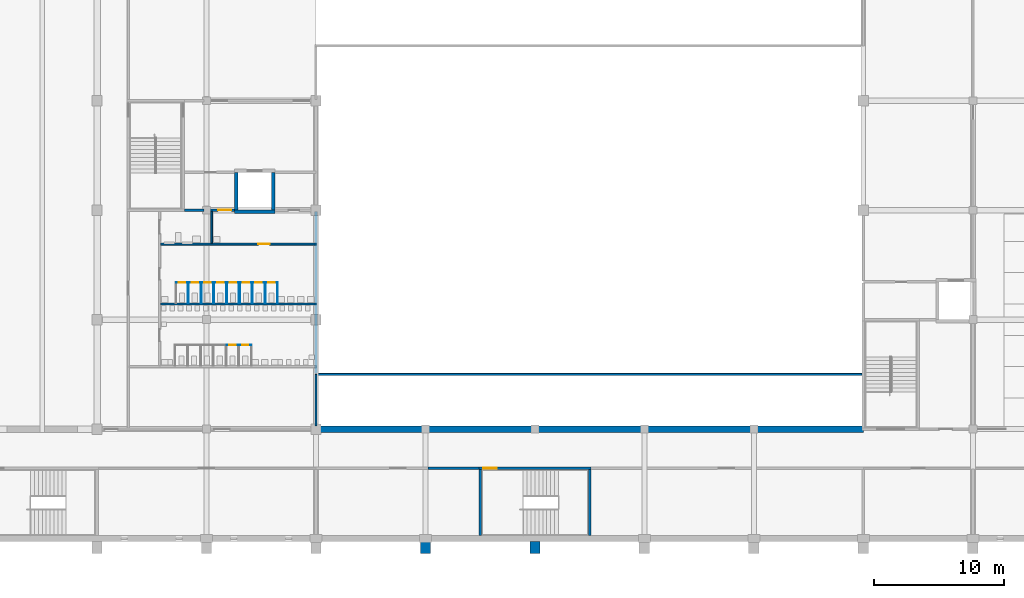
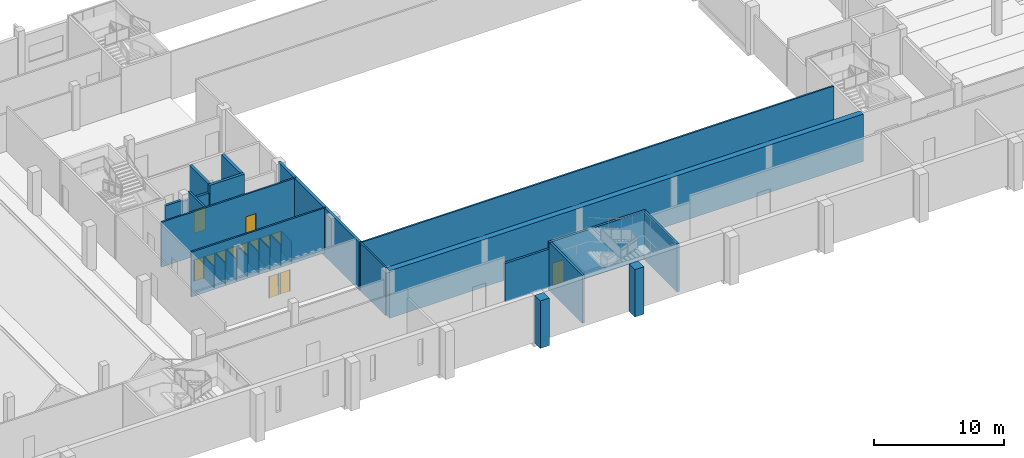
# One storey, part 18 of 56: 43 walls, 13 doors, 13 openings.
"""IFC4 building model written with IfcOpenShell, lengths in metres."""

from ifc_helpers import new_model, si_unit, direction, frame, frame_2d, origin, place, context, subcontext, project, spatial, rectangle, extrude, material, layer, layer_set, type_object, element, fill, save


model = new_model("IFC4")

# Units and contexts
model_context = context("Model", 3, precision=1e-05, world=origin(), true_north=direction((0.0, 1.0)))
body_context = subcontext(model_context, "Body", "Model", "MODEL_VIEW")
ifc_project = project(units=[si_unit("LENGTHUNIT", "METRE"), si_unit("AREAUNIT", "SQUARE_METRE"), si_unit("VOLUMEUNIT", "CUBIC_METRE"), si_unit("PLANEANGLEUNIT", "RADIAN"), si_unit("MASSUNIT", "GRAM", prefix="KILO")], contexts=[model_context])

# Site, building, storey
site_placement = place(None, origin())
site = spatial("IfcSite", under=ifc_project, at=site_placement, CompositionType="ELEMENT")
building_placement = place(site_placement, origin())
building = spatial("IfcBuilding", under=site, at=building_placement, Name="Rulbaag Community and Learning Centre", CompositionType="ELEMENT")
storey_placement = place(building_placement, frame((0.0, 0.0, 9.89990234375)))
storey = spatial("IfcBuildingStorey", under=building, at=storey_placement, Name="L02", CompositionType="ELEMENT", Elevation=9.89990234375)

# Wall, opening, door
ifc_material_1 = material(Name="High pressure laminate", Category="wood")
ifc_layer_1 = layer(ifc_material_1, 0.0400390625)
ifc_layer_set_1 = layer_set([ifc_layer_1], Name="CP-40")
wall_type_1 = type_object("IfcWallType", Name="CP-40", PredefinedType="PARTITIONING", material=ifc_layer_set_1)
wall_1_placement = place(storey_placement, frame((35.139892578125, 14.85009765625, 0.0), z_axis=(0.0, 0.0, 1.0), x_axis=(1.0, 0.0, 0.0)))
wall_1 = element("IfcWall", 1, at=wall_1_placement, inside=storey, type_object=wall_type_1, Name="Cubicle partition", PredefinedType="PARTITIONING", context=body_context, shape_type="SweptSolid", body=[
    extrude(rectangle(XDim=0.900146484375, YDim=0.0400390625, at=frame_2d((0.4501953125, 0.0))), origin(), (0.0, 0.0, 1.0), 2.0),
])
opening_1_placement = place(wall_1_placement, frame((0.050048828125, 0.0, 0.0)))
opening_1 = element("IfcOpeningElement", 2, at=opening_1_placement, cuts=wall_1, Name="Opening L02-D029", PredefinedType="OPENING", context=body_context, shape_type="SweptSolid", body=[
    extrude(rectangle(XDim=0.800048828125, YDim=2.0, at=frame_2d((0.39990234375, 1.0))), frame((0.0, 0.030029296875, 0.0), z_axis=(0.0, -1.0, 0.0), x_axis=(1.0, 0.0, 0.0)), (0.0, 0.0, 1.0), 0.06005859375),
])
door_type_1 = type_object("IfcDoorType", Name="DC-80", OperationType="SINGLE_SWING_LEFT", PredefinedType="DOOR", material=ifc_material_1)
door_1_placement = place(opening_1_placement, origin())
door_1 = element("IfcDoor", 3, at=door_1_placement, inside=storey, type_object=door_type_1, Name="Cubicle door", OperationType="SINGLE_SWING_LEFT", OverallHeight=2.0, OverallWidth=0.800048828125, PredefinedType="DOOR", context=body_context, shape_type="SweptSolid", body=[
    extrude(rectangle(XDim=0.800048828125, YDim=2.0, at=frame_2d((0.39990234375, 1.0))), frame((0.0, 0.019775390625, 0.0), z_axis=(0.0, -1.0, 0.0), x_axis=(1.0, 0.0, 0.0)), (0.0, 0.0, 1.0), 0.03955078125),
])
fill(opening_1, door_1)

wall_2_placement = place(storey_placement, frame((36.1201171875, 14.85009765625, 0.0), z_axis=(0.0, 0.0, 1.0), x_axis=(1.0, 0.0, 0.0)))
wall_2 = element("IfcWall", 4, at=wall_2_placement, inside=storey, type_object=wall_type_1, Name="Cubicle partition", PredefinedType="PARTITIONING", context=body_context, shape_type="SweptSolid", body=[
    extrude(rectangle(XDim=0.89990234375, YDim=0.0400390625, at=frame_2d((0.449951171875, 0.0))), origin(), (0.0, 0.0, 1.0), 2.0),
])
opening_2_placement = place(wall_2_placement, frame((0.050048828125, 0.0, 0.0)))
opening_2 = element("IfcOpeningElement", 5, at=opening_2_placement, cuts=wall_2, Name="Opening L02-D031", PredefinedType="OPENING", context=body_context, shape_type="SweptSolid", body=[
    extrude(rectangle(XDim=0.800048828125, YDim=2.0, at=frame_2d((0.39990234375, 1.0))), frame((0.0, 0.030029296875, 0.0), z_axis=(0.0, -1.0, 0.0), x_axis=(1.0, 0.0, 0.0)), (0.0, 0.0, 1.0), 0.06005859375),
])
door_2_placement = place(opening_2_placement, origin())
door_2 = element("IfcDoor", 6, at=door_2_placement, inside=storey, type_object=door_type_1, Name="Cubicle door", OperationType="SINGLE_SWING_LEFT", OverallHeight=2.0, OverallWidth=0.800048828125, PredefinedType="DOOR", context=body_context, shape_type="SweptSolid", body=[
    extrude(rectangle(XDim=0.800048828125, YDim=2.0, at=frame_2d((0.39990234375, 1.0))), frame((0.0, 0.019775390625, 0.0), z_axis=(0.0, -1.0, 0.0), x_axis=(1.0, 0.0, 0.0)), (0.0, 0.0, 1.0), 0.03955078125),
])
fill(opening_2, door_2)

# Wall
wall_3_placement = place(storey_placement, frame((32.18994140625, 18.074951171875, 0.0), z_axis=(0.0, 0.0, 1.0), x_axis=(0.0, 1.0, 0.0)))
element("IfcWall", 7, at=wall_3_placement, inside=storey, type_object=wall_type_1, Name="Cubicle partition", PredefinedType="PARTITIONING", context=body_context, shape_type="SweptSolid", body=[
    extrude(rectangle(XDim=1.594970703125, YDim=0.0400390625, at=frame_2d((0.79736328125, 0.0))), origin(), (0.0, 0.0, 1.0), 2.0),
])

# Wall, opening, door
wall_4_placement = place(storey_placement, frame((31.27001953125, 19.64990234375, 0.0), z_axis=(0.0, 0.0, 1.0), x_axis=(1.0, 0.0, 0.0)))
wall_4 = element("IfcWall", 8, at=wall_4_placement, inside=storey, type_object=wall_type_1, Name="Cubicle partition", PredefinedType="PARTITIONING", context=body_context, shape_type="SweptSolid", body=[
    extrude(rectangle(XDim=0.89990234375, YDim=0.0400390625, at=frame_2d((0.449951171875, 0.0))), origin(), (0.0, 0.0, 1.0), 2.0),
])
opening_3_placement = place(wall_4_placement, frame((0.050048828125, 0.0, 0.0)))
opening_3 = element("IfcOpeningElement", 9, at=opening_3_placement, cuts=wall_4, Name="Opening L02-D016", PredefinedType="OPENING", context=body_context, shape_type="SweptSolid", body=[
    extrude(rectangle(XDim=0.800048828125, YDim=2.0, at=frame_2d((0.39990234375, 1.0))), frame((0.0, 0.030029296875, 0.0), z_axis=(0.0, -1.0, 0.0), x_axis=(1.0, 0.0, 0.0)), (0.0, 0.0, 1.0), 0.06005859375),
])
door_3_placement = place(opening_3_placement, origin())
door_3 = element("IfcDoor", 10, at=door_3_placement, inside=storey, type_object=door_type_1, Name="Cubicle door", OperationType="SINGLE_SWING_LEFT", OverallHeight=2.0, OverallWidth=0.800048828125, PredefinedType="DOOR", context=body_context, shape_type="SweptSolid", body=[
    extrude(rectangle(XDim=0.800048828125, YDim=2.0, at=frame_2d((0.39990234375, 1.0))), frame((0.0, 0.019775390625, 0.0), z_axis=(0.0, -1.0, 0.0), x_axis=(1.0, 0.0, 0.0)), (0.0, 0.0, 1.0), 0.03955078125),
])
fill(opening_3, door_3)

# Walls
for number, where, z_axis, x_axis, name in (
    (11, (32.22998046875, 18.074951171875, 0.0), (0.0, 0.0, 1.0), (0.0, 1.0, 0.0), "Cubicle partition"),
    (12, (33.169921875, 18.074951171875, 0.0), (0.0, 0.0, 1.0), (0.0, 1.0, 0.0), "Cubicle partition"),
):
    element("IfcWall", number, at=place(storey_placement, frame(where, z_axis=z_axis, x_axis=x_axis)), inside=storey, type_object=wall_type_1, Name=name, PredefinedType="PARTITIONING", context=body_context, shape_type="SweptSolid", body=[
        extrude(rectangle(XDim=1.594970703125, YDim=0.0400390625, at=frame_2d((0.79736328125, 0.0))), origin(), (0.0, 0.0, 1.0), 2.0),
    ])

# Wall, opening, door
wall_5_placement = place(storey_placement, frame((32.25, 19.64990234375, 0.0), z_axis=(0.0, 0.0, 1.0), x_axis=(1.0, 0.0, 0.0)))
wall_5 = element("IfcWall", 13, at=wall_5_placement, inside=storey, type_object=wall_type_1, Name="Cubicle partition", PredefinedType="PARTITIONING", context=body_context, shape_type="SweptSolid", body=[
    extrude(rectangle(XDim=0.89990234375, YDim=0.0400390625, at=frame_2d((0.449951171875, 0.0))), origin(), (0.0, 0.0, 1.0), 2.0),
])
opening_4_placement = place(wall_5_placement, frame((0.050048828125, 0.0, 0.0)))
opening_4 = element("IfcOpeningElement", 14, at=opening_4_placement, cuts=wall_5, Name="Opening L02-D019", PredefinedType="OPENING", context=body_context, shape_type="SweptSolid", body=[
    extrude(rectangle(XDim=0.800048828125, YDim=2.0, at=frame_2d((0.39990234375, 1.0))), frame((0.0, 0.030029296875, 0.0), z_axis=(0.0, -1.0, 0.0), x_axis=(1.0, 0.0, 0.0)), (0.0, 0.0, 1.0), 0.06005859375),
])
door_4_placement = place(opening_4_placement, origin())
door_4 = element("IfcDoor", 15, at=door_4_placement, inside=storey, type_object=door_type_1, Name="Cubicle door", OperationType="SINGLE_SWING_LEFT", OverallHeight=2.0, OverallWidth=0.800048828125, PredefinedType="DOOR", context=body_context, shape_type="SweptSolid", body=[
    extrude(rectangle(XDim=0.800048828125, YDim=2.0, at=frame_2d((0.39990234375, 1.0))), frame((0.0, 0.019775390625, 0.0), z_axis=(0.0, -1.0, 0.0), x_axis=(1.0, 0.0, 0.0)), (0.0, 0.0, 1.0), 0.03955078125),
])
fill(opening_4, door_4)

# Walls
for number, where, z_axis, x_axis, name in (
    (16, (33.2099609375, 18.074951171875, 0.0), (0.0, 0.0, 1.0), (0.0, 1.0, 0.0), "Cubicle partition"),
    (17, (34.14990234375, 18.074951171875, 0.0), (0.0, 0.0, 1.0), (0.0, 1.0, 0.0), "Cubicle partition"),
):
    element("IfcWall", number, at=place(storey_placement, frame(where, z_axis=z_axis, x_axis=x_axis)), inside=storey, type_object=wall_type_1, Name=name, PredefinedType="PARTITIONING", context=body_context, shape_type="SweptSolid", body=[
        extrude(rectangle(XDim=1.594970703125, YDim=0.0400390625, at=frame_2d((0.79736328125, 0.0))), origin(), (0.0, 0.0, 1.0), 2.0),
    ])

# Wall, opening, door
wall_6_placement = place(storey_placement, frame((33.22998046875, 19.64990234375, 0.0), z_axis=(0.0, 0.0, 1.0), x_axis=(1.0, 0.0, 0.0)))
wall_6 = element("IfcWall", 18, at=wall_6_placement, inside=storey, type_object=wall_type_1, Name="Cubicle partition", PredefinedType="PARTITIONING", context=body_context, shape_type="SweptSolid", body=[
    extrude(rectangle(XDim=0.89990234375, YDim=0.0400390625, at=frame_2d((0.449951171875, 0.0))), origin(), (0.0, 0.0, 1.0), 2.0),
])
opening_5_placement = place(wall_6_placement, frame((0.050048828125, 0.0, 0.0)))
opening_5 = element("IfcOpeningElement", 19, at=opening_5_placement, cuts=wall_6, Name="Opening L02-D022", PredefinedType="OPENING", context=body_context, shape_type="SweptSolid", body=[
    extrude(rectangle(XDim=0.800048828125, YDim=2.0, at=frame_2d((0.39990234375, 1.0))), frame((0.0, 0.030029296875, 0.0), z_axis=(0.0, -1.0, 0.0), x_axis=(1.0, 0.0, 0.0)), (0.0, 0.0, 1.0), 0.06005859375),
])
door_5_placement = place(opening_5_placement, origin())
door_5 = element("IfcDoor", 20, at=door_5_placement, inside=storey, type_object=door_type_1, Name="Cubicle door", OperationType="SINGLE_SWING_LEFT", OverallHeight=2.0, OverallWidth=0.800048828125, PredefinedType="DOOR", context=body_context, shape_type="SweptSolid", body=[
    extrude(rectangle(XDim=0.800048828125, YDim=2.0, at=frame_2d((0.39990234375, 1.0))), frame((0.0, 0.019775390625, 0.0), z_axis=(0.0, -1.0, 0.0), x_axis=(1.0, 0.0, 0.0)), (0.0, 0.0, 1.0), 0.03955078125),
])
fill(opening_5, door_5)

# Walls
for number, where, z_axis, x_axis, name in (
    (21, (34.18994140625, 18.074951171875, 0.0), (0.0, 0.0, 1.0), (0.0, 1.0, 0.0), "Cubicle partition"),
    (22, (35.1298828125, 18.074951171875, 0.0), (0.0, 0.0, 1.0), (0.0, 1.0, 0.0), "Cubicle partition"),
):
    element("IfcWall", number, at=place(storey_placement, frame(where, z_axis=z_axis, x_axis=x_axis)), inside=storey, type_object=wall_type_1, Name=name, PredefinedType="PARTITIONING", context=body_context, shape_type="SweptSolid", body=[
        extrude(rectangle(XDim=1.594970703125, YDim=0.0400390625, at=frame_2d((0.79736328125, 0.0))), origin(), (0.0, 0.0, 1.0), 2.0),
    ])

# Wall, opening, door
wall_7_placement = place(storey_placement, frame((34.2099609375, 19.64990234375, 0.0), z_axis=(0.0, 0.0, 1.0), x_axis=(1.0, 0.0, 0.0)))
wall_7 = element("IfcWall", 23, at=wall_7_placement, inside=storey, type_object=wall_type_1, Name="Cubicle partition", PredefinedType="PARTITIONING", context=body_context, shape_type="SweptSolid", body=[
    extrude(rectangle(XDim=0.900146484375, YDim=0.0400390625, at=frame_2d((0.4501953125, 0.0))), origin(), (0.0, 0.0, 1.0), 2.0),
])
opening_6_placement = place(wall_7_placement, frame((0.050048828125, 0.0, 0.0)))
opening_6 = element("IfcOpeningElement", 24, at=opening_6_placement, cuts=wall_7, Name="Opening L02-D026", PredefinedType="OPENING", context=body_context, shape_type="SweptSolid", body=[
    extrude(rectangle(XDim=0.800048828125, YDim=2.0, at=frame_2d((0.39990234375, 1.0))), frame((0.0, 0.030029296875, 0.0), z_axis=(0.0, -1.0, 0.0), x_axis=(1.0, 0.0, 0.0)), (0.0, 0.0, 1.0), 0.06005859375),
])
door_6_placement = place(opening_6_placement, origin())
door_6 = element("IfcDoor", 25, at=door_6_placement, inside=storey, type_object=door_type_1, Name="Cubicle door", OperationType="SINGLE_SWING_LEFT", OverallHeight=2.0, OverallWidth=0.800048828125, PredefinedType="DOOR", context=body_context, shape_type="SweptSolid", body=[
    extrude(rectangle(XDim=0.800048828125, YDim=2.0, at=frame_2d((0.39990234375, 1.0))), frame((0.0, 0.019775390625, 0.0), z_axis=(0.0, -1.0, 0.0), x_axis=(1.0, 0.0, 0.0)), (0.0, 0.0, 1.0), 0.03955078125),
])
fill(opening_6, door_6)

# Walls
for number, where, z_axis, x_axis, name in (
    (26, (35.169921875, 18.074951171875, 0.0), (0.0, 0.0, 1.0), (0.0, 1.0, 0.0), "Cubicle partition"),
    (27, (36.110107421875, 18.074951171875, 0.0), (0.0, 0.0, 1.0), (0.0, 1.0, 0.0), "Cubicle partition"),
):
    element("IfcWall", number, at=place(storey_placement, frame(where, z_axis=z_axis, x_axis=x_axis)), inside=storey, type_object=wall_type_1, Name=name, PredefinedType="PARTITIONING", context=body_context, shape_type="SweptSolid", body=[
        extrude(rectangle(XDim=1.594970703125, YDim=0.0400390625, at=frame_2d((0.79736328125, 0.0))), origin(), (0.0, 0.0, 1.0), 2.0),
    ])

# Wall, opening, door
wall_8_placement = place(storey_placement, frame((35.18994140625, 19.64990234375, 0.0), z_axis=(0.0, 0.0, 1.0), x_axis=(1.0, 0.0, 0.0)))
wall_8 = element("IfcWall", 28, at=wall_8_placement, inside=storey, type_object=wall_type_1, Name="Cubicle partition", PredefinedType="PARTITIONING", context=body_context, shape_type="SweptSolid", body=[
    extrude(rectangle(XDim=0.900146484375, YDim=0.0400390625, at=frame_2d((0.4501953125, 0.0))), origin(), (0.0, 0.0, 1.0), 2.0),
])
opening_7_placement = place(wall_8_placement, frame((0.050048828125, 0.0, 0.0)))
opening_7 = element("IfcOpeningElement", 29, at=opening_7_placement, cuts=wall_8, Name="Opening L02-D030", PredefinedType="OPENING", context=body_context, shape_type="SweptSolid", body=[
    extrude(rectangle(XDim=0.800048828125, YDim=2.0, at=frame_2d((0.39990234375, 1.0))), frame((0.0, 0.030029296875, 0.0), z_axis=(0.0, -1.0, 0.0), x_axis=(1.0, 0.0, 0.0)), (0.0, 0.0, 1.0), 0.06005859375),
])
door_7_placement = place(opening_7_placement, origin())
door_7 = element("IfcDoor", 30, at=door_7_placement, inside=storey, type_object=door_type_1, Name="Cubicle door", OperationType="SINGLE_SWING_LEFT", OverallHeight=2.0, OverallWidth=0.800048828125, PredefinedType="DOOR", context=body_context, shape_type="SweptSolid", body=[
    extrude(rectangle(XDim=0.800048828125, YDim=2.0, at=frame_2d((0.39990234375, 1.0))), frame((0.0, 0.019775390625, 0.0), z_axis=(0.0, -1.0, 0.0), x_axis=(1.0, 0.0, 0.0)), (0.0, 0.0, 1.0), 0.03955078125),
])
fill(opening_7, door_7)

# Walls
for number, where, z_axis, x_axis, name in (
    (31, (36.14990234375, 18.074951171875, 0.0), (0.0, 0.0, 1.0), (0.0, 1.0, 0.0), "Cubicle partition"),
    (32, (37.090087890625, 18.074951171875, 0.0), (0.0, 0.0, 1.0), (0.0, 1.0, 0.0), "Cubicle partition"),
):
    element("IfcWall", number, at=place(storey_placement, frame(where, z_axis=z_axis, x_axis=x_axis)), inside=storey, type_object=wall_type_1, Name=name, PredefinedType="PARTITIONING", context=body_context, shape_type="SweptSolid", body=[
        extrude(rectangle(XDim=1.594970703125, YDim=0.0400390625, at=frame_2d((0.79736328125, 0.0))), origin(), (0.0, 0.0, 1.0), 2.0),
    ])

# Wall, opening, door
wall_9_placement = place(storey_placement, frame((36.169921875, 19.64990234375, 0.0), z_axis=(0.0, 0.0, 1.0), x_axis=(1.0, 0.0, 0.0)))
wall_9 = element("IfcWall", 33, at=wall_9_placement, inside=storey, type_object=wall_type_1, Name="Cubicle partition", PredefinedType="PARTITIONING", context=body_context, shape_type="SweptSolid", body=[
    extrude(rectangle(XDim=0.900146484375, YDim=0.0400390625, at=frame_2d((0.4501953125, 0.0))), origin(), (0.0, 0.0, 1.0), 2.0),
])
opening_8_placement = place(wall_9_placement, frame((0.050048828125, 0.0, 0.0)))
opening_8 = element("IfcOpeningElement", 34, at=opening_8_placement, cuts=wall_9, Name="Opening L02-D032", PredefinedType="OPENING", context=body_context, shape_type="SweptSolid", body=[
    extrude(rectangle(XDim=0.800048828125, YDim=2.0, at=frame_2d((0.39990234375, 1.0))), frame((0.0, 0.030029296875, 0.0), z_axis=(0.0, -1.0, 0.0), x_axis=(1.0, 0.0, 0.0)), (0.0, 0.0, 1.0), 0.06005859375),
])
door_8_placement = place(opening_8_placement, origin())
door_8 = element("IfcDoor", 35, at=door_8_placement, inside=storey, type_object=door_type_1, Name="Cubicle door", OperationType="SINGLE_SWING_LEFT", OverallHeight=2.0, OverallWidth=0.800048828125, PredefinedType="DOOR", context=body_context, shape_type="SweptSolid", body=[
    extrude(rectangle(XDim=0.800048828125, YDim=2.0, at=frame_2d((0.39990234375, 1.0))), frame((0.0, 0.019775390625, 0.0), z_axis=(0.0, -1.0, 0.0), x_axis=(1.0, 0.0, 0.0)), (0.0, 0.0, 1.0), 0.03955078125),
])
fill(opening_8, door_8)

# Walls
for number, where, z_axis, x_axis, name in (
    (36, (37.1298828125, 18.074951171875, 0.0), (0.0, 0.0, 1.0), (0.0, 1.0, 0.0), "Cubicle partition"),
    (37, (38.070068359375, 18.074951171875, 0.0), (0.0, 0.0, 1.0), (0.0, 1.0, 0.0), "Cubicle partition"),
):
    element("IfcWall", number, at=place(storey_placement, frame(where, z_axis=z_axis, x_axis=x_axis)), inside=storey, type_object=wall_type_1, Name=name, PredefinedType="PARTITIONING", context=body_context, shape_type="SweptSolid", body=[
        extrude(rectangle(XDim=1.594970703125, YDim=0.0400390625, at=frame_2d((0.79736328125, 0.0))), origin(), (0.0, 0.0, 1.0), 2.0),
    ])

# Wall, opening, door
wall_10_placement = place(storey_placement, frame((37.14990234375, 19.64990234375, 0.0), z_axis=(0.0, 0.0, 1.0), x_axis=(1.0, 0.0, 0.0)))
wall_10 = element("IfcWall", 38, at=wall_10_placement, inside=storey, type_object=wall_type_1, Name="Cubicle partition", PredefinedType="PARTITIONING", context=body_context, shape_type="SweptSolid", body=[
    extrude(rectangle(XDim=0.900146484375, YDim=0.0400390625, at=frame_2d((0.4501953125, 0.0))), origin(), (0.0, 0.0, 1.0), 2.0),
])
opening_9_placement = place(wall_10_placement, frame((0.050048828125, 0.0, 0.0)))
opening_9 = element("IfcOpeningElement", 39, at=opening_9_placement, cuts=wall_10, Name="Opening L02-D035", PredefinedType="OPENING", context=body_context, shape_type="SweptSolid", body=[
    extrude(rectangle(XDim=0.800048828125, YDim=2.0, at=frame_2d((0.39990234375, 1.0))), frame((0.0, 0.030029296875, 0.0), z_axis=(0.0, -1.0, 0.0), x_axis=(1.0, 0.0, 0.0)), (0.0, 0.0, 1.0), 0.06005859375),
])
door_9_placement = place(opening_9_placement, origin())
door_9 = element("IfcDoor", 40, at=door_9_placement, inside=storey, type_object=door_type_1, Name="Cubicle door", OperationType="SINGLE_SWING_LEFT", OverallHeight=2.0, OverallWidth=0.800048828125, PredefinedType="DOOR", context=body_context, shape_type="SweptSolid", body=[
    extrude(rectangle(XDim=0.800048828125, YDim=2.0, at=frame_2d((0.39990234375, 1.0))), frame((0.0, 0.019775390625, 0.0), z_axis=(0.0, -1.0, 0.0), x_axis=(1.0, 0.0, 0.0)), (0.0, 0.0, 1.0), 0.03955078125),
])
fill(opening_9, door_9)

# Walls
for number, where, z_axis, x_axis, name in (
    (41, (38.110107421875, 18.074951171875, 0.0), (0.0, 0.0, 1.0), (0.0, 1.0, 0.0), "Cubicle partition"),
    (42, (39.050048828125, 18.074951171875, 0.0), (0.0, 0.0, 1.0), (0.0, 1.0, 0.0), "Cubicle partition"),
):
    element("IfcWall", number, at=place(storey_placement, frame(where, z_axis=z_axis, x_axis=x_axis)), inside=storey, type_object=wall_type_1, Name=name, PredefinedType="PARTITIONING", context=body_context, shape_type="SweptSolid", body=[
        extrude(rectangle(XDim=1.594970703125, YDim=0.0400390625, at=frame_2d((0.79736328125, 0.0))), origin(), (0.0, 0.0, 1.0), 2.0),
    ])

# Wall, opening, door
wall_11_placement = place(storey_placement, frame((38.1298828125, 19.64990234375, 0.0), z_axis=(0.0, 0.0, 1.0), x_axis=(1.0, 0.0, 0.0)))
wall_11 = element("IfcWall", 43, at=wall_11_placement, inside=storey, type_object=wall_type_1, Name="Cubicle partition", PredefinedType="PARTITIONING", context=body_context, shape_type="SweptSolid", body=[
    extrude(rectangle(XDim=0.900146484375, YDim=0.0400390625, at=frame_2d((0.4501953125, 0.0))), origin(), (0.0, 0.0, 1.0), 2.0),
])
opening_10_placement = place(wall_11_placement, frame((0.050048828125, 0.0, 0.0)))
opening_10 = element("IfcOpeningElement", 44, at=opening_10_placement, cuts=wall_11, Name="Opening L02-D038", PredefinedType="OPENING", context=body_context, shape_type="SweptSolid", body=[
    extrude(rectangle(XDim=0.800048828125, YDim=2.0, at=frame_2d((0.39990234375, 1.0))), frame((0.0, 0.030029296875, 0.0), z_axis=(0.0, -1.0, 0.0), x_axis=(1.0, 0.0, 0.0)), (0.0, 0.0, 1.0), 0.06005859375),
])
door_10_placement = place(opening_10_placement, origin())
door_10 = element("IfcDoor", 45, at=door_10_placement, inside=storey, type_object=door_type_1, Name="Cubicle door", OperationType="SINGLE_SWING_LEFT", OverallHeight=2.0, OverallWidth=0.800048828125, PredefinedType="DOOR", context=body_context, shape_type="SweptSolid", body=[
    extrude(rectangle(XDim=0.800048828125, YDim=2.0, at=frame_2d((0.39990234375, 1.0))), frame((0.0, 0.019775390625, 0.0), z_axis=(0.0, -1.0, 0.0), x_axis=(1.0, 0.0, 0.0)), (0.0, 0.0, 1.0), 0.03955078125),
])
fill(opening_10, door_10)

# Walls
ifc_material_2 = material(Name="Concrete M30", Category="concrete")
ifc_layer_2 = layer(ifc_material_2, 0.25)
ifc_layer_set_2 = layer_set([ifc_layer_2], Name="CW-250 COMPARTMENT WALL 250")
wall_type_2 = type_object("IfcWallType", Name="CW-250 COMPARTMENT WALL 250", PredefinedType="SOLIDWALL", material=ifc_layer_set_2)
wall_12_placement = place(storey_placement, frame((42.0, 12.675048828125, -0.2998046875), z_axis=(0.0, 0.0, 1.0), x_axis=(0.0, 1.0, 0.0)))
element("IfcWall", 46, at=wall_12_placement, inside=storey, type_object=wall_type_2, Name="Fire wall L02 67", PredefinedType="SOLIDWALL", context=body_context, shape_type="SweptSolid", body=[
    extrude(rectangle(XDim=12.425048828125, YDim=0.25, at=frame_2d((6.21240234375, 0.0))), origin(), (0.0, 0.0, 1.0), 4.5),
])
ifc_material_3 = material(Name="Concrete M40", Category="concrete")
ifc_layer_3 = layer(ifc_material_3, 0.800048828125)
ifc_layer_set_3 = layer_set([ifc_layer_3], Name="EW-BTR")
wall_type_3 = type_object("IfcWallType", Name="EW-BTR", PredefinedType="SOLIDWALL", material=ifc_layer_set_3)
for number, where, z_axis, x_axis, name in (
    (47, (50.39990234375, -0.22509765625, -0.25), (0.0, 0.0, 1.0), (0.0, -1.0, 0.0), "Buttress pier"),
    (48, (58.800048828125, -0.22509765625, -0.25), (0.0, 0.0, 1.0), (0.0, -1.0, 0.0), "Buttress pier"),
):
    element("IfcWall", number, at=place(storey_placement, frame(where, z_axis=z_axis, x_axis=x_axis)), inside=storey, type_object=wall_type_3, Name=name, PredefinedType="SOLIDWALL", context=body_context, shape_type="SweptSolid", body=[
        extrude(rectangle(XDim=0.89990234375, YDim=0.800048828125, at=frame_2d((0.449951171875, 0.0))), origin(), (0.0, 0.0, 1.0), 4.4501953125),
    ])
ifc_material_4 = material(Name="Concrete blockwork", Category="masonry")
ifc_layer_4 = layer(ifc_material_4, 0.199951171875)
ifc_layer_set_4 = layer_set([ifc_layer_4], Name="FW-200 FIRE WALL 200")
wall_type_4 = type_object("IfcWallType", Name="FW-200 FIRE WALL 200", PredefinedType="SOLIDWALL", material=ifc_layer_set_4)
wall_13_placement = place(storey_placement, frame((50.60009765625, 5.39990234375, 0.0), z_axis=(0.0, 0.0, 1.0), x_axis=(1.0, 0.0, 0.0)))
element("IfcWall", 49, at=wall_13_placement, inside=storey, type_object=wall_type_4, Name="Fire wall L02 3.2", PredefinedType="SOLIDWALL", context=body_context, shape_type="SweptSolid", body=[
    extrude(rectangle(XDim=3.89990234375, YDim=0.199951171875, at=frame_2d((1.949951171875, 0.0))), origin(), (0.0, 0.0, 1.0), 3.60009765625),
])
wall_14_placement = place(storey_placement, frame((31.89990234375, 25.199951171875, 0.0), z_axis=(0.0, 0.0, 1.0), x_axis=(1.0, 0.0, 0.0)))
element("IfcWall", 50, at=wall_14_placement, inside=storey, type_object=wall_type_4, Name="Fire wall L02 17", PredefinedType="SOLIDWALL", context=body_context, shape_type="SweptSolid", body=[
    extrude(rectangle(XDim=1.5, YDim=0.199951171875, at=frame_2d((0.75, 0.0))), origin(), (0.0, 0.0, 1.0), 3.550048828125),
])

# Wall, opening, door
wall_15_placement = place(storey_placement, frame((33.39990234375, 25.199951171875, 0.0), z_axis=(0.0, 0.0, 1.0), x_axis=(1.0, 0.0, 0.0)))
wall_15 = element("IfcWall", 51, at=wall_15_placement, inside=storey, type_object=wall_type_4, Name="Fire wall L02 17.2", PredefinedType="SOLIDWALL", context=body_context, shape_type="SweptSolid", body=[
    extrude(rectangle(XDim=2.35009765625, YDim=0.199951171875, at=frame_2d((1.175048828125, 0.0))), origin(), (0.0, 0.0, 1.0), 3.400146484375),
])
opening_11_placement = place(wall_15_placement, frame((1.10009765625, 0.0, 0.0)))
opening_11 = element("IfcOpeningElement", 52, at=opening_11_placement, cuts=wall_15, Name="Opening L02-D028", PredefinedType="OPENING", context=body_context, shape_type="SweptSolid", body=[
    extrude(rectangle(XDim=1.0, YDim=2.10009765625, at=frame_2d((0.5, 1.050048828125))), frame((0.0, 0.10986328125, 0.0), z_axis=(0.0, -1.0, 0.0), x_axis=(1.0, 0.0, 0.0)), (0.0, 0.0, 1.0), 0.219970703125),
])
ifc_material_5 = material(Name="Galvanised steel", Category="steel")
door_type_2 = type_object("IfcDoorType", Name="FD-1000 FIRE DOOR 1000 x 2100", OperationType="SINGLE_SWING_LEFT", PredefinedType="DOOR", material=ifc_material_5)
door_11_placement = place(opening_11_placement, origin())
door_11 = element("IfcDoor", 53, at=door_11_placement, inside=storey, type_object=door_type_2, Name="Door L02-D028", OperationType="SINGLE_SWING_LEFT", OverallHeight=2.10009765625, OverallWidth=1.0, PredefinedType="DOOR", context=body_context, shape_type="SweptSolid", body=[
    extrude(rectangle(XDim=1.0, YDim=2.10009765625, at=frame_2d((0.5, 1.050048828125))), frame((0.0, 0.02490234375, 0.0), z_axis=(0.0, -1.0, 0.0), x_axis=(1.0, 0.0, 0.0)), (0.0, 0.0, 1.0), 0.050048828125),
])
fill(opening_11, door_11)

# Walls
ifc_layer_5 = layer(ifc_material_4, 0.14990234375)
ifc_layer_set_5 = layer_set([ifc_layer_5], Name="IP-150 PARTITION 150")
wall_type_5 = type_object("IfcWallType", Name="IP-150 PARTITION 150", PredefinedType="PARTITIONING", material=ifc_layer_set_5)
wall_16_placement = place(storey_placement, frame((41.875, 12.60009765625, -0.2998046875), z_axis=(0.0, 0.0, 1.0), x_axis=(1.0, 0.0, 0.0)))
element("IfcWall", 54, at=wall_16_placement, inside=storey, type_object=wall_type_5, Name="Partition L02 9", PredefinedType="PARTITIONING", context=body_context, shape_type="SweptSolid", body=[
    extrude(rectangle(XDim=42.02490234375, YDim=0.14990234375, at=frame_2d((21.012451171875, 0.0))), origin(), (0.0, 0.0, 1.0), 4.5),
])
wall_17_placement = place(storey_placement, frame((42.0, 8.64990234375, -0.2998046875), z_axis=(0.0, 0.0, 1.0), x_axis=(0.0, 1.0, 0.0)))
element("IfcWall", 55, at=wall_17_placement, inside=storey, type_object=wall_type_5, Name="Partition L02 56", PredefinedType="PARTITIONING", context=body_context, shape_type="SweptSolid", body=[
    extrude(rectangle(XDim=3.9501953125, YDim=0.14990234375, at=frame_2d((1.97509765625, 0.0))), origin(), (0.0, 0.0, 1.0), 4.5),
])
wall_18_placement = place(storey_placement, frame((30.074951171875, 18.0, 0.0), z_axis=(0.0, 0.0, 1.0), x_axis=(1.0, 0.0, 0.0)))
element("IfcWall", 56, at=wall_18_placement, inside=storey, type_object=wall_type_5, Name="Partition L02 12", PredefinedType="PARTITIONING", context=body_context, shape_type="SweptSolid", body=[
    extrude(rectangle(XDim=11.925048828125, YDim=0.14990234375, at=frame_2d((5.96240234375, 0.0))), origin(), (0.0, 0.0, 1.0), 4.2001953125),
])

# Wall, opening, door
wall_19_placement = place(storey_placement, frame((30.074951171875, 22.60009765625, 0.0), z_axis=(0.0, 0.0, 1.0), x_axis=(1.0, 0.0, 0.0)))
wall_19 = element("IfcWall", 57, at=wall_19_placement, inside=storey, type_object=wall_type_5, Name="Partition L02 15", PredefinedType="PARTITIONING", context=body_context, shape_type="SweptSolid", body=[
    extrude(rectangle(XDim=11.925048828125, YDim=0.14990234375, at=frame_2d((5.96240234375, 0.0))), origin(), (0.0, 0.0, 1.0), 4.2001953125),
])
opening_12_placement = place(wall_19_placement, frame((7.47509765625, 0.0, 0.0)))
opening_12 = element("IfcOpeningElement", 58, at=opening_12_placement, cuts=wall_19, Name="Opening L02-D037", PredefinedType="OPENING", context=body_context, shape_type="SweptSolid", body=[
    extrude(rectangle(XDim=0.89990234375, YDim=2.10009765625, at=frame_2d((0.449951171875, 1.050048828125))), frame((0.0, 0.0849609375, 0.0), z_axis=(0.0, -1.0, 0.0), x_axis=(1.0, 0.0, 0.0)), (0.0, 0.0, 1.0), 0.169921875),
])
ifc_material_6 = material(Name="Timber", Category="wood")
door_type_3 = type_object("IfcDoorType", Name="DW-900 TOILET DOOR 900 x 2100", OperationType="SINGLE_SWING_LEFT", PredefinedType="DOOR", material=ifc_material_6)
door_12_placement = place(opening_12_placement, origin())
door_12 = element("IfcDoor", 59, at=door_12_placement, inside=storey, type_object=door_type_3, Name="Door L02-D037", OperationType="SINGLE_SWING_RIGHT", OverallHeight=2.10009765625, OverallWidth=0.89990234375, PredefinedType="DOOR", context=body_context, shape_type="SweptSolid", body=[
    extrude(rectangle(XDim=0.89990234375, YDim=2.10009765625, at=frame_2d((0.449951171875, 1.050048828125))), frame((0.0, 0.02490234375, 0.0), z_axis=(0.0, -1.0, 0.0), x_axis=(1.0, 0.0, 0.0)), (0.0, 0.0, 1.0), 0.050048828125),
])
fill(opening_12, door_12)

# Walls
wall_20_placement = place(storey_placement, frame((34.0, 22.675048828125, 0.0), z_axis=(0.0, 0.0, 1.0), x_axis=(0.0, 1.0, 0.0)))
element("IfcWall", 60, at=wall_20_placement, inside=storey, type_object=wall_type_5, Name="Partition L02 53", PredefinedType="PARTITIONING", context=body_context, shape_type="SweptSolid", body=[
    extrude(rectangle(XDim=2.425048828125, YDim=0.14990234375, at=frame_2d((1.21240234375, 0.0))), origin(), (0.0, 0.0, 1.0), 4.2001953125),
])
ifc_layer_6 = layer(ifc_material_3, 0.5)
ifc_layer_set_6 = layer_set([ifc_layer_6], Name="W13 Shear wall 500 Concrete M40")
wall_type_6 = type_object("IfcWallType", Name="W13 Shear wall 500 Concrete M40", PredefinedType="SHEAR", material=ifc_layer_set_6)
wall_21_placement = place(storey_placement, frame((42.0, 8.39990234375, -0.25), z_axis=(0.0, 0.0, 1.0), x_axis=(1.0, 0.0, 0.0)))
element("IfcWall", 61, at=wall_21_placement, inside=storey, type_object=wall_type_6, Name="WL-XMS-L02", PredefinedType="SHEAR", context=body_context, shape_type="SweptSolid", body=[
    extrude(rectangle(XDim=42.0, YDim=0.5, at=frame_2d((21.0, 0.0))), origin(), (0.0, 0.0, 1.0), 4.4501953125),
])
ifc_layer_7 = layer(ifc_material_3, 0.25)
ifc_layer_set_7 = layer_set([ifc_layer_7], Name="W8 Lift shaft wall 250 Concrete M40")
wall_type_7 = type_object("IfcWallType", Name="W8 Lift shaft wall 250 Concrete M40", PredefinedType="SHEAR", material=ifc_layer_set_7)
wall_22_placement = place(storey_placement, frame((35.75, 25.074951171875, -0.25), z_axis=(0.0, 0.0, 1.0), x_axis=(1.0, 0.0, 0.0)))
element("IfcWall", 62, at=wall_22_placement, inside=storey, type_object=wall_type_7, Name="WL-LH1-S-L02", PredefinedType="SHEAR", context=body_context, shape_type="SweptSolid", body=[
    extrude(rectangle(XDim=3.10009765625, YDim=0.25, at=frame_2d((1.550048828125, 0.0))), origin(), (0.0, 0.0, 1.0), 4.4501953125),
])
for number, where, z_axis, x_axis, name in (
    (63, (35.875, 25.199951171875, -0.25), (0.0, 0.0, 1.0), (0.0, 1.0, 0.0), "WL-LH1-W-L02"),
    (64, (38.72509765625, 25.199951171875, -0.25), (0.0, 0.0, 1.0), (0.0, 1.0, 0.0), "WL-LH1-E-L02"),
):
    element("IfcWall", number, at=place(storey_placement, frame(where, z_axis=z_axis, x_axis=x_axis)), inside=storey, type_object=wall_type_7, Name=name, PredefinedType="SHEAR", context=body_context, shape_type="SweptSolid", body=[
        extrude(rectangle(XDim=2.900146484375, YDim=0.25, at=frame_2d((1.4501953125, 0.0))), origin(), (0.0, 0.0, 1.0), 4.4501953125),
    ])

# Wall, opening, door
ifc_layer_8 = layer(ifc_material_3, 0.199951171875)
ifc_layer_set_8 = layer_set([ifc_layer_8], Name="WSE Stair enclosure wall 200 Concrete M40")
wall_type_8 = type_object("IfcWallType", Name="WSE Stair enclosure wall 200 Concrete M40", PredefinedType="SHEAR", material=ifc_layer_set_8)
wall_23_placement = place(storey_placement, frame((54.5, 5.39990234375, -0.2998046875), z_axis=(0.0, 0.0, 1.0), x_axis=(1.0, 0.0, 0.0)))
wall_23 = element("IfcWall", 65, at=wall_23_placement, inside=storey, type_object=wall_type_8, Name="Stair enclosure wall SH8 N L02", PredefinedType="SHEAR", context=body_context, shape_type="SweptSolid", body=[
    extrude(rectangle(XDim=8.60009765625, YDim=0.199951171875, at=frame_2d((4.300048828125, 0.0))), origin(), (0.0, 0.0, 1.0), 4.5),
])
opening_13_placement = place(wall_23_placement, frame((0.35009765625, 0.0, 0.300048828125)))
opening_13 = element("IfcOpeningElement", 66, at=opening_13_placement, cuts=wall_23, Name="Opening L02-D042", PredefinedType="OPENING", context=body_context, shape_type="SweptSolid", body=[
    extrude(rectangle(XDim=1.0, YDim=2.10009765625, at=frame_2d((0.5, 1.050048828125))), frame((0.0, 0.10986328125, 0.0), z_axis=(0.0, -1.0, 0.0), x_axis=(1.0, 0.0, 0.0)), (0.0, 0.0, 1.0), 0.219970703125),
])
door_13_placement = place(opening_13_placement, origin())
door_13 = element("IfcDoor", 67, at=door_13_placement, inside=storey, type_object=door_type_2, Name="Door L02-D042", OperationType="SINGLE_SWING_LEFT", OverallHeight=2.10009765625, OverallWidth=1.0, PredefinedType="DOOR", context=body_context, shape_type="SweptSolid", body=[
    extrude(rectangle(XDim=1.0, YDim=2.10009765625, at=frame_2d((0.5, 1.050048828125))), frame((0.0, 0.02490234375, 0.0), z_axis=(0.0, -1.0, 0.0), x_axis=(1.0, 0.0, 0.0)), (0.0, 0.0, 1.0), 0.050048828125),
])
fill(opening_13, door_13)

# Walls
for number, where, z_axis, x_axis, name in (
    (68, (54.60009765625, 0.22509765625, -0.2998046875), (0.0, 0.0, 1.0), (0.0, 1.0, 0.0), "Stair enclosure wall SH8 W L02"),
    (69, (63.0, 0.22509765625, -0.2998046875), (0.0, 0.0, 1.0), (0.0, 1.0, 0.0), "Stair enclosure wall SH8 E L02"),
):
    element("IfcWall", number, at=place(storey_placement, frame(where, z_axis=z_axis, x_axis=x_axis)), inside=storey, type_object=wall_type_8, Name=name, PredefinedType="SHEAR", context=body_context, shape_type="SweptSolid", body=[
        extrude(rectangle(XDim=5.074951171875, YDim=0.199951171875, at=frame_2d((2.53759765625, 0.0))), origin(), (0.0, 0.0, 1.0), 4.5),
    ])

save(model, "model.ifc")
